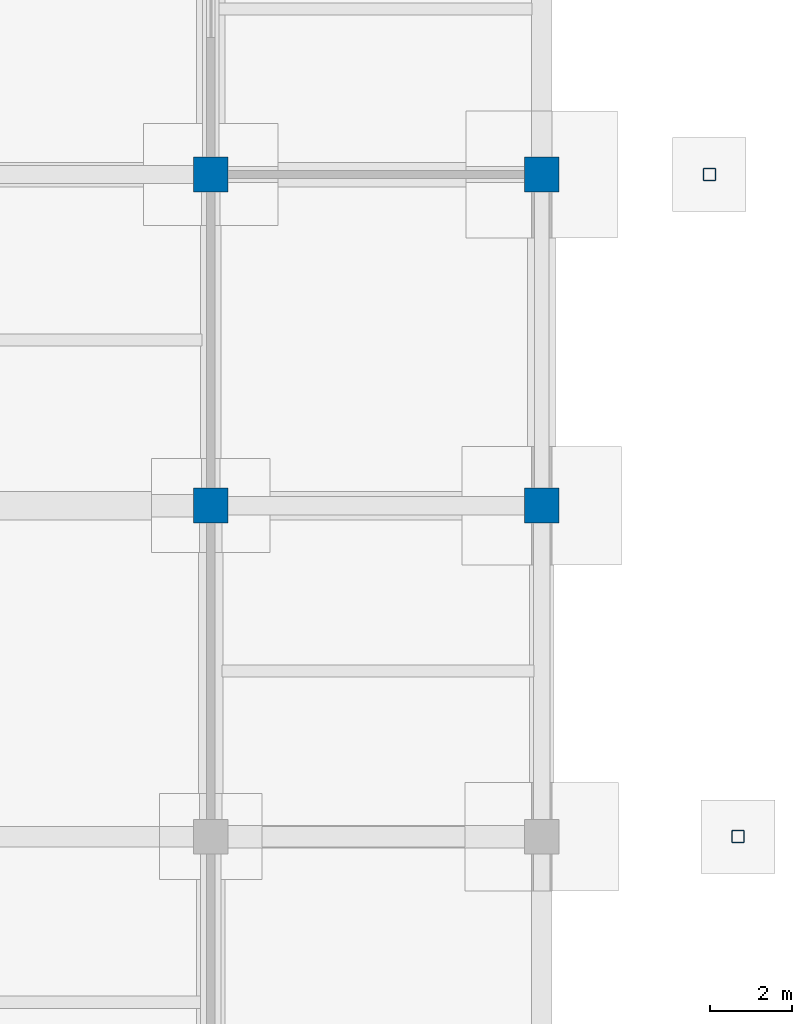
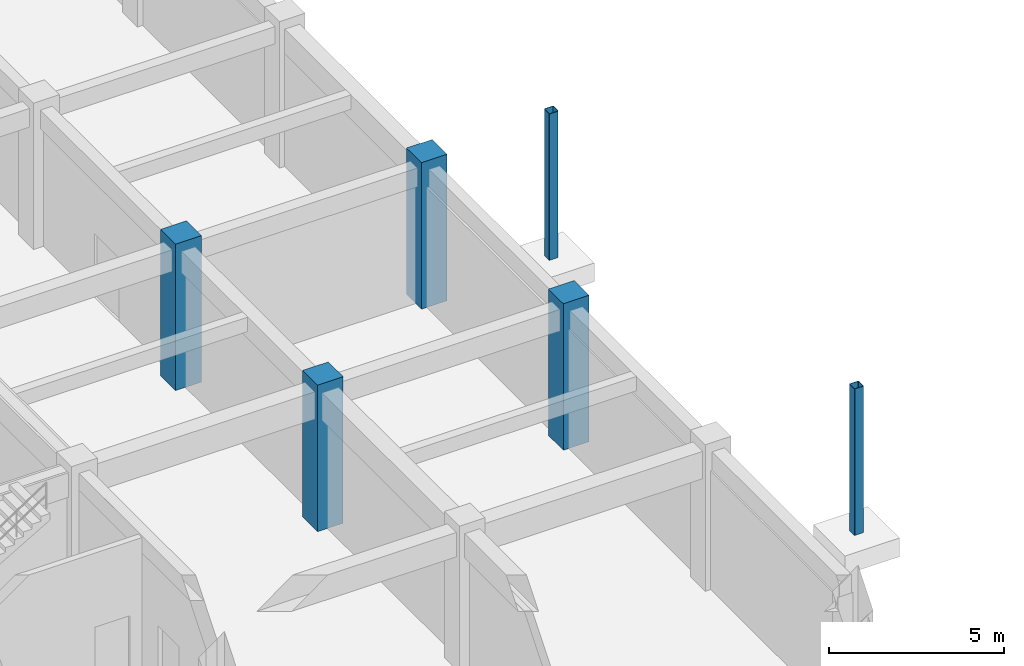
# One storey, part 24 of 67: 6 columns.
"""IFC4 building model written with IfcOpenShell, lengths in metres."""

import ifcopenshell
import ifcopenshell.guid

model = None  # the IFC model being written
_history = None  # IfcOwnerHistory: only IFC2X3 demands one
_inside = {}  # id of a spatial element -> (the spatial element, [elements in it])
_under = {}  # id of a project, library or spatial element -> (it, [spatial elements below it])
_declared = {}  # id of a project -> (the project, [libraries it declares])
_typed = {}  # id of a type object -> (the type object, [elements of that type])
_made_of = {}  # id of a material, layer set ... -> (it, [elements and type objects made of it])


def new_model(schema):
    """Start an empty IFC model of exactly this schema.

    Asked for "IFC4X3", IfcOpenShell would pick the latest addendum, in which some entities
    have other attributes; the version numbers below select the first issue.
    IFC2X3 requires an IfcOwnerHistory on every rooted entity: one is made here for all.
    """
    global model, _history
    if schema == "IFC4X3":
        model = ifcopenshell.file(schema_version=(4, 3, 0, 0))
    else:
        model = ifcopenshell.file(schema=schema)
    _inside.clear()
    _under.clear()
    _declared.clear()
    _typed.clear()
    _made_of.clear()
    _history = None
    if model.schema == "IFC2X3":
        org = make("IfcOrganization", Name="unknown")
        user = make(
            "IfcPersonAndOrganization",
            ThePerson=make("IfcPerson", FamilyName="unknown"),
            TheOrganization=org,
        )
        app = make(
            "IfcApplication",
            ApplicationDeveloper=org,
            Version="unknown",
            ApplicationFullName="unknown",
            ApplicationIdentifier="unknown",
        )
        _history = make(
            "IfcOwnerHistory",
            OwningUser=user,
            OwningApplication=app,
            ChangeAction="ADDED",
            CreationDate=0,
        )
    return model


def make(cls, **values):
    """One entity of the class cls with the attributes given. An attribute that is None is left unset."""
    return model.create_entity(
        cls, **{name: value for name, value in values.items() if value is not None}
    )


def rooted(cls, **values):
    """An entity with a GlobalId (a new one), such as an element, a storey or a relation."""
    return make(cls, GlobalId=ifcopenshell.guid.new(), OwnerHistory=_history, **values)


def si_unit(unit_type, name, prefix=None):
    """IfcSIUnit, for example si_unit("LENGTHUNIT", "METRE", prefix="MILLI")."""
    return make("IfcSIUnit", UnitType=unit_type, Prefix=prefix, Name=name)


def assignment(units):
    """IfcUnitAssignment: the units of a project."""
    return None if units is None else make("IfcUnitAssignment", Units=units)


def point(xyz):
    """IfcCartesianPoint."""
    return None if xyz is None else make("IfcCartesianPoint", Coordinates=xyz)


def direction(xyz):
    """IfcDirection."""
    return None if xyz is None else make("IfcDirection", DirectionRatios=xyz)


def frame(location, z_axis=None, x_axis=None):
    """IfcAxis2Placement3D, a coordinate frame: its origin and axes. An axis left out is left unset."""
    return make(
        "IfcAxis2Placement3D",
        Location=point(location),
        Axis=direction(z_axis),
        RefDirection=direction(x_axis),
    )


def frame_2d(location, x_axis=None):
    """IfcAxis2Placement2D, a coordinate frame in the plane: its origin and x axis."""
    return make(
        "IfcAxis2Placement2D", Location=point(location), RefDirection=direction(x_axis)
    )


def origin():
    """The frame at (0, 0, 0) with its axes left unset."""
    return frame((0.0, 0.0, 0.0))


def origin_2d():
    """The frame at (0, 0) in the plane with its x axis left unset."""
    return frame_2d((0.0, 0.0))


def place(relative_to, where):
    """IfcLocalPlacement: puts the frame where relative to a parent placement (None: the world)."""
    return make(
        "IfcLocalPlacement", PlacementRelTo=relative_to, RelativePlacement=where
    )


def context(
    kind, dimensions, precision=None, world=None, true_north=None, identifier=None
):
    """IfcGeometricRepresentationContext, for example the 3D "Model" context."""
    return make(
        "IfcGeometricRepresentationContext",
        ContextIdentifier=identifier,
        ContextType=kind,
        CoordinateSpaceDimension=dimensions,
        Precision=precision,
        WorldCoordinateSystem=world,
        TrueNorth=true_north,
    )


def subcontext(parent, identifier, kind, view, scale=None):
    """IfcGeometricRepresentationSubContext, for example "Body" below "Model"."""
    return make(
        "IfcGeometricRepresentationSubContext",
        ContextIdentifier=identifier,
        ContextType=kind,
        ParentContext=parent,
        TargetScale=scale,
        TargetView=view,
    )


def project(units=None, contexts=None):
    """IfcProject with its units and contexts."""
    return rooted(
        "IfcProject",
        Name="project",
        RepresentationContexts=contexts,
        UnitsInContext=assignment(units),
    )


def spatial(cls, under=None, at=None, **own):
    """A site, building, storey or space (cls), placed at a placement, below another one or the project."""
    s = rooted(cls, ObjectPlacement=at, **own)
    if under is not None:
        _under.setdefault(under.id(), (under, []))[1].append(s)
    return s


def profile(cls, at=None, kind="AREA", **sizes):
    """A parametric profile (cls). Its sizes go by their IFC names, for example OverallWidth=200.0."""
    return make(cls, ProfileType=kind, Position=at, **sizes)


def rectangle(**sizes):
    """IfcRectangleProfileDef."""
    return profile("IfcRectangleProfileDef", **sizes)


def hollow_rectangle(**sizes):
    """IfcRectangleHollowProfileDef."""
    return profile("IfcRectangleHollowProfileDef", **sizes)


def extrude(swept, where, along, depth):
    """IfcExtrudedAreaSolid: the profile swept, set in the frame where, extruded along a direction by depth."""
    return make(
        "IfcExtrudedAreaSolid",
        SweptArea=swept,
        Position=where,
        ExtrudedDirection=direction(along),
        Depth=depth,
    )


def shape(context_of_items, identifier, shape_type, items):
    """IfcShapeRepresentation: the items that make up one representation, for example the "Body"."""
    return make(
        "IfcShapeRepresentation",
        ContextOfItems=context_of_items,
        RepresentationIdentifier=identifier,
        RepresentationType=shape_type,
        Items=items,
    )


def material(Name=None, Category=None):
    """IfcMaterial."""
    return make("IfcMaterial", Name=Name, Category=Category)


def material_profile(
    of_material, cross_section, Name=None, Category=None, Priority=None
):
    """IfcMaterialProfile: a cross section and its material."""
    return make(
        "IfcMaterialProfile",
        Name=Name,
        Material=of_material,
        Profile=cross_section,
        Priority=Priority,
        Category=Category,
    )


def profile_set(profiles, Name=None, composite=None):
    """IfcMaterialProfileSet."""
    return make(
        "IfcMaterialProfileSet",
        Name=Name,
        MaterialProfiles=profiles,
        CompositeProfile=composite,
    )


def made_of(thing, what):
    """Note that an element or type object is made of a material, layer set ...; save() writes the relation."""
    if what is not None:
        _made_of.setdefault(what.id(), (what, []))[1].append(thing)
    return thing


def type_object(cls, material=None, **own):
    """A type object (cls), such as IfcWallType, which elements share."""
    return made_of(rooted(cls, **own), material)


def element(
    cls,
    number,
    at=None,
    inside=None,
    cuts=None,
    type_object=None,
    material=None,
    context=None,
    identifier="Body",
    shape_type=None,
    held_by="IfcProductDefinitionShape",
    body=None,
    shapes=None,
    **own,
):
    """One element of the class cls, such as IfcWall. Its Tag is "e" and its number.

    at: its placement. inside: the storey or other place that contains it. cuts: it is an
    opening in that element (IfcRelVoidsElement). A single representation is given by context,
    identifier, shape_type and body (its items); several are given by shapes. held_by: the class
    of the entity that holds the representations. save() writes the other relations.
    """
    e = rooted(cls, Tag="e%d" % number, ObjectPlacement=at, **own)
    if body is not None:
        shapes = [shape(context, identifier, shape_type, body)]
    if shapes is not None:
        e.Representation = make(held_by, Representations=shapes)
    if inside is not None:
        _inside.setdefault(inside.id(), (inside, []))[1].append(e)
    if cuts is not None:
        rooted(
            "IfcRelVoidsElement", RelatingBuildingElement=cuts, RelatedOpeningElement=e
        )
    if type_object is not None:
        _typed.setdefault(type_object.id(), (type_object, []))[1].append(e)
    return made_of(e, material)


def aggregate(whole, parts):
    """IfcRelAggregates: a whole, such as a stair, and the parts it consists of."""
    return rooted("IfcRelAggregates", RelatingObject=whole, RelatedObjects=parts)


def save(model, path):
    """Write the relations noted so far, then the file.

    IfcRelAggregates (storeys below a building ...), IfcRelContainedInSpatialStructure (elements
    in a storey), IfcRelDefinesByType, IfcRelAssociatesMaterial and IfcRelDeclares: one each for
    every whole, place, type object, material and project.
    """
    for whole, parts in _under.values():
        aggregate(whole, parts)
    for where, things in _inside.values():
        rooted(
            "IfcRelContainedInSpatialStructure",
            RelatedElements=things,
            RelatingStructure=where,
        )
    for kind, things in _typed.values():
        rooted("IfcRelDefinesByType", RelatedObjects=things, RelatingType=kind)
    for what, things in _made_of.values():
        rooted("IfcRelAssociatesMaterial", RelatedObjects=things, RelatingMaterial=what)
    for by, libraries in _declared.values():
        rooted("IfcRelDeclares", RelatingContext=by, RelatedDefinitions=libraries)
    model.write(path)


model = new_model("IFC4")

# Units and contexts
model_context = context("Model", 3, precision=1e-05, world=origin(), true_north=direction((0.0, 1.0)))
body_context = subcontext(model_context, "Body", "Model", "MODEL_VIEW")
ifc_project = project(units=[si_unit("LENGTHUNIT", "METRE"), si_unit("AREAUNIT", "SQUARE_METRE"), si_unit("VOLUMEUNIT", "CUBIC_METRE"), si_unit("PLANEANGLEUNIT", "RADIAN"), si_unit("MASSUNIT", "GRAM", prefix="KILO")], contexts=[model_context])

# Site, building, storey
site_placement = place(None, origin())
site = spatial("IfcSite", under=ifc_project, at=site_placement, CompositionType="ELEMENT")
building_placement = place(site_placement, origin())
building = spatial("IfcBuilding", under=site, at=building_placement, Name="Vaudrelin Polytechnic", CompositionType="ELEMENT")
storey_placement = place(building_placement, frame((0.0, 0.0, -5.10009765625)))
storey = spatial("IfcBuildingStorey", under=building, at=storey_placement, Name="B1", CompositionType="ELEMENT", Elevation=-5.10009765625)

# Columns
ifc_material_1 = material(Name="Steel CSA G40.21 350WT", Category="steel")
ifc_material_profile_1 = material_profile(ifc_material_1, hollow_rectangle(XDim=0.304931640625, YDim=0.304931640625, WallThickness=0.0126953125, InnerFilletRadius=0.0126953125, OuterFilletRadius=0.025390625, at=origin_2d()), Name="HSS305x305x12.7")
ifc_profile_set_1 = profile_set([ifc_material_profile_1], Name="Steel CSA G40.21 350WT")
column_type_1 = type_object("IfcColumnType", Name="COL-C-HSS305", PredefinedType="COLUMN", material=ifc_profile_set_1)
for number, where, z_axis, x_axis, name in (
    (1, (174.89990234375, 32.39990234375, 0.0), (0.0, 0.0, 1.0), (1.0, 0.0, 0.0), "Deconstructivist column B1 E_OR1_1"),
    (2, (174.199951171875, 48.60009765625, 0.0), (0.0, 0.0, 1.0), (1.0, 0.0, 0.0), "Deconstructivist column B1 E_OR1_2"),
):
    element("IfcColumn", number, at=place(storey_placement, frame(where, z_axis=z_axis, x_axis=x_axis)), inside=storey, type_object=column_type_1, Name=name, PredefinedType="COLUMN", context=body_context, shape_type="SweptSolid", body=[
        extrude(hollow_rectangle(XDim=0.304931640625, YDim=0.304931640625, WallThickness=0.0126953125, InnerFilletRadius=0.0126953125, OuterFilletRadius=0.025390625, at=origin_2d()), origin(), (0.0, 0.0, 1.0), 5.10009765625),
    ])
ifc_material_2 = material(Name="Concrete 50 MPa", Category="concrete")
ifc_material_profile_2 = material_profile(ifc_material_2, rectangle(XDim=0.85009765625, YDim=0.85009765625, at=origin_2d()), Name="RC850x850")
ifc_profile_set_2 = profile_set([ifc_material_profile_2], Name="Concrete 50 MPa")
column_type_2 = type_object("IfcColumnType", Name="COL-C-RC850", PredefinedType="COLUMN", material=ifc_profile_set_2)
for number, where, z_axis, x_axis, name in (
    (3, (162.0, 40.5, 0.0), (0.0, 0.0, 1.0), (1.0, 0.0, 0.0), "Column B1 21-6"),
    (4, (162.0, 48.60009765625, 0.0), (0.0, 0.0, 1.0), (1.0, 0.0, 0.0), "Column B1 21-7"),
    (5, (170.10009765625, 40.5, 0.0), (0.0, 0.0, 1.0), (1.0, 0.0, 0.0), "Column B1 22-6"),
    (6, (170.10009765625, 48.60009765625, 0.0), (0.0, 0.0, 1.0), (1.0, 0.0, 0.0), "Column B1 22-7"),
):
    element("IfcColumn", number, at=place(storey_placement, frame(where, z_axis=z_axis, x_axis=x_axis)), inside=storey, type_object=column_type_2, Name=name, PredefinedType="COLUMN", context=body_context, shape_type="SweptSolid", body=[
        extrude(rectangle(XDim=0.85009765625, YDim=0.85009765625, at=origin_2d()), origin(), (0.0, 0.0, 1.0), 5.10009765625),
    ])

save(model, "model.ifc")
